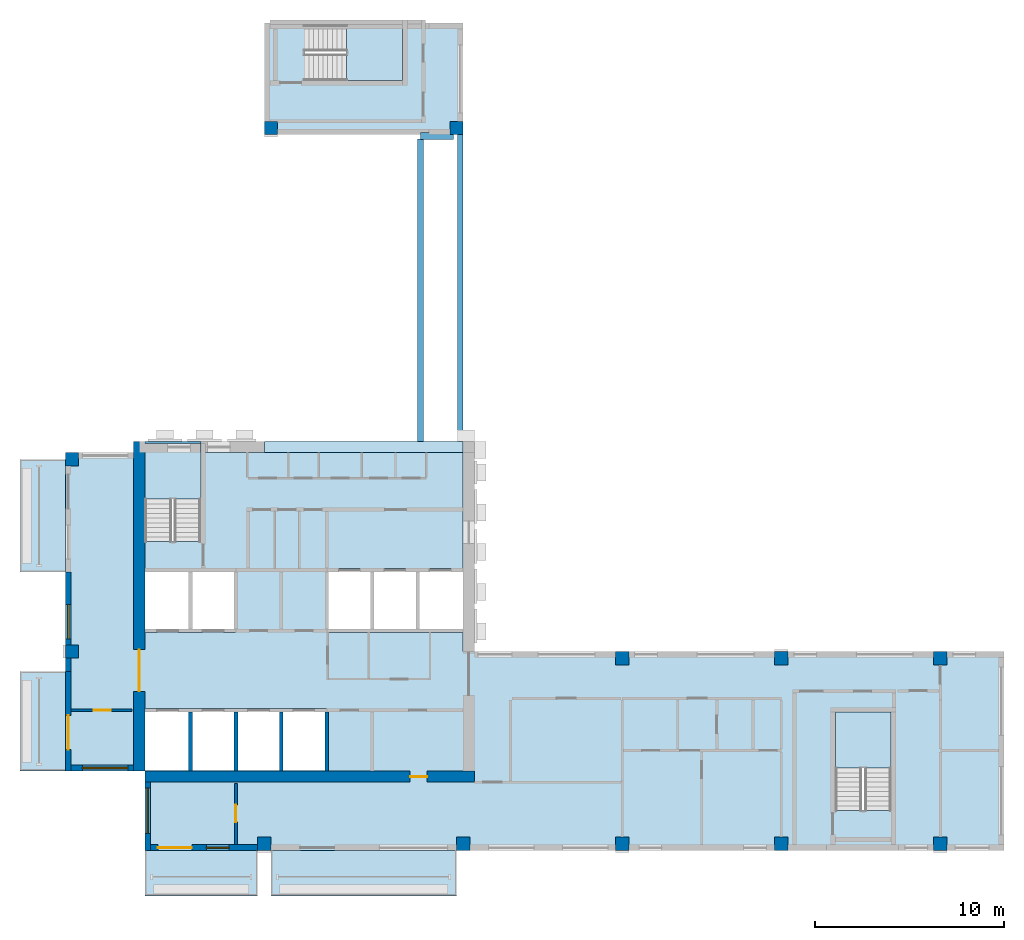
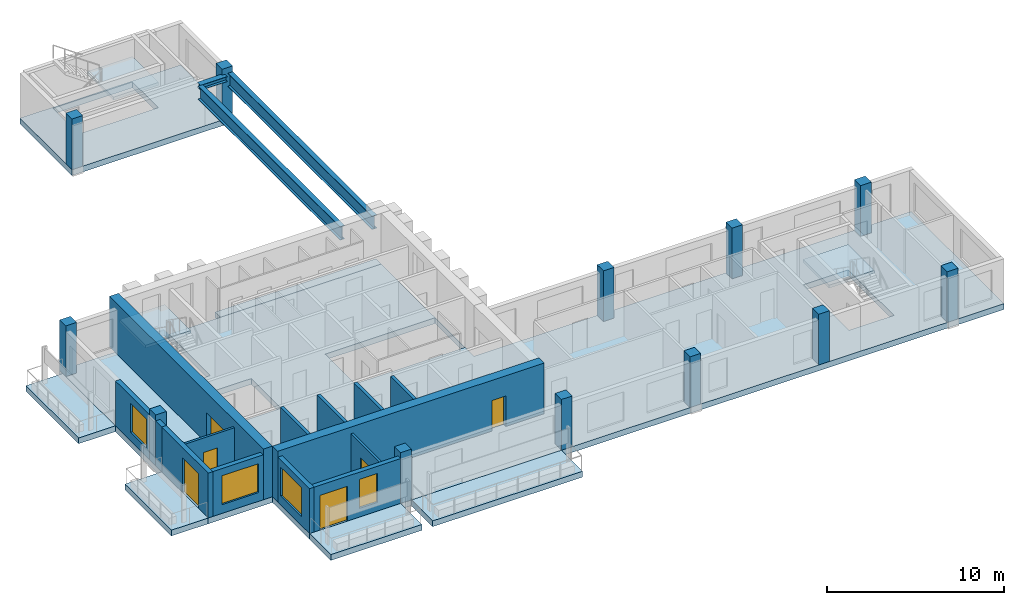
# One storey, part 1 of 9: 14 walls, 12 columns, 11 slabs, 6 doors, 4 windows, 3 beams, 10 openings, 3 elements without a shape of their own.
"""IFC4 building model written with IfcOpenShell, lengths in metres."""

from ifc_helpers import new_model, si_unit, direction, frame, frame_2d, origin, origin_2d, place, context, subcontext, project, spatial, polyline, rectangle, i_section, outline, extrude, source, transform, mapped, material, layer, layer_set, material_profile, profile_set, type_object, element, fill, aggregate, save


model = new_model("IFC4")

# Units and contexts
model_context = context("Model", 3, precision=1e-05, world=origin(), true_north=direction((0.0, 1.0)))
body_context = subcontext(model_context, "Body", "Model", "MODEL_VIEW")
ifc_project = project(units=[si_unit("LENGTHUNIT", "METRE"), si_unit("AREAUNIT", "SQUARE_METRE"), si_unit("VOLUMEUNIT", "CUBIC_METRE"), si_unit("PLANEANGLEUNIT", "RADIAN"), si_unit("MASSUNIT", "GRAM", prefix="KILO")], contexts=[model_context])

# Site, building, storey
site_placement = place(None, origin())
site = spatial("IfcSite", under=ifc_project, at=site_placement, CompositionType="ELEMENT")
building_placement = place(site_placement, origin())
building = spatial("IfcBuilding", under=site, at=building_placement, Name="Aurelian Terraces", CompositionType="ELEMENT")
storey_placement = place(building_placement, frame((0.0, 0.0, 312.5)))
storey = spatial("IfcBuildingStorey", under=building, at=storey_placement, Name="L72", CompositionType="ELEMENT", Elevation=312.5)

# Columns
ifc_material_1 = material(Name="Concrete fc' 55 MPa", Category="concrete")
ifc_material_profile_1 = material_profile(ifc_material_1, rectangle(XDim=0.7, YDim=0.7, at=origin_2d()))
ifc_profile_set_1 = profile_set([ifc_material_profile_1], Name="Concrete fc' 55 MPa")
column_type = type_object("IfcColumnType", Name="RC COLUMN 700X700 FC55", PredefinedType="COLUMN", material=ifc_profile_set_1)
shared_shape_1 = source(origin(), body_context, "Body", "SweptSolid", [
    extrude(rectangle(XDim=0.7, YDim=0.7, at=origin_2d()), origin(), (0.0, 0.0, 1.0), 3.5),
])
for number, where, z_axis, x_axis, name in (
    (1, (10.5, 0.35, 0.0), (0.0, 0.0, 1.0), (1.0, 0.0, 0.0), "Column 2/A L72"),
    (2, (21.0, 0.35, 0.0), (0.0, 0.0, 1.0), (1.0, 0.0, 0.0), "Column 3/A L72"),
    (3, (29.4, 0.35, 0.0), (0.0, 0.0, 1.0), (1.0, 0.0, 0.0), "Column 4/A L72"),
    (4, (37.8, 0.35, 0.0), (0.0, 0.0, 1.0), (1.0, 0.0, 0.0), "Column 5/A L72"),
    (5, (46.2, 0.35, 0.0), (0.0, 0.0, 1.0), (1.0, 0.0, 0.0), "Column 6/A L72"),
    (6, (0.35, 10.5, 0.0), (0.0, 0.0, 1.0), (1.0, 0.0, 0.0), "Column 1/B L72"),
    (7, (29.4, 10.15, 0.0), (0.0, 0.0, 1.0), (1.0, 0.0, 0.0), "Column 4/B L72"),
    (8, (37.8, 10.15, 0.0), (0.0, 0.0, 1.0), (1.0, 0.0, 0.0), "Column 5/B L72"),
    (9, (46.2, 10.15, 0.0), (0.0, 0.0, 1.0), (1.0, 0.0, 0.0), "Column 6/B L72"),
    (10, (0.35, 20.65, 0.0), (0.0, 0.0, 1.0), (1.0, 0.0, 0.0), "Column 1/C L72"),
    (11, (10.85, 38.15, 0.0), (0.0, 0.0, 1.0), (1.0, 0.0, 0.0), "Column 2/E L72"),
    (12, (20.65, 38.15, 0.0), (0.0, 0.0, 1.0), (1.0, 0.0, 0.0), "Column 3/E L72"),
):
    element("IfcColumn", number, at=place(storey_placement, frame(where, z_axis=z_axis, x_axis=x_axis)), inside=storey, type_object=column_type, Name=name, PredefinedType="COLUMN", context=body_context, shape_type="MappedRepresentation", body=[
        mapped(shared_shape_1, transform((0.0, 0.0, 0.0), scale=1.0)),
    ])

# Beams
ifc_material_2 = material(Name="Steel ASTM A992 Gr50", Category="steel")
ifc_material_profile_2 = material_profile(ifc_material_2, i_section(OverallWidth=0.3077, OverallDepth=0.9268, WebThickness=0.0194, FlangeThickness=0.032, at=origin_2d()))
ifc_profile_set_2 = profile_set([ifc_material_profile_2], Name="Steel ASTM A992 Gr50")
beam_type_1 = type_object("IfcBeamType", Name="PC903 PORTAL CHORD W36X194", PredefinedType="BEAM", material=ifc_profile_set_2)
beam_1_placement = place(storey_placement, frame((18.7538, 21.5, 2.6364), z_axis=(0.0, 1.0, 0.0), x_axis=(-1.0, 0.0, 0.0)))
element("IfcBeam", 13, at=beam_1_placement, inside=storey, type_object=beam_type_1, Name="Link girder 1 L73", PredefinedType="BEAM", context=body_context, shape_type="SweptSolid", body=[
    extrude(i_section(OverallWidth=0.3077, OverallDepth=0.9268, WebThickness=0.0194, FlangeThickness=0.032, at=origin_2d()), origin(), (0.0, 0.0, 1.0), 16.0556),
])
beam_2_placement = place(storey_placement, frame((20.8462, 21.5, 2.6364), z_axis=(0.0, 1.0, 0.0), x_axis=(-1.0, 0.0, 0.0)))
element("IfcBeam", 14, at=beam_2_placement, inside=storey, type_object=beam_type_1, Name="Link girder 2 L73", PredefinedType="BEAM", context=body_context, shape_type="SweptSolid", body=[
    extrude(i_section(OverallWidth=0.3077, OverallDepth=0.9268, WebThickness=0.0194, FlangeThickness=0.032, at=origin_2d()), origin(), (0.0, 0.0, 1.0), 16.3),
])
ifc_material_profile_3 = material_profile(ifc_material_2, i_section(OverallWidth=0.3688, OverallDepth=0.3561, WebThickness=0.0112, FlangeThickness=0.018, at=origin_2d()))
ifc_profile_set_3 = profile_set([ifc_material_profile_3], Name="Steel ASTM A992 Gr50")
beam_type_2 = type_object("IfcBeamType", Name="PC904 PORTAL CHORD W14X90", PredefinedType="BEAM", material=ifc_profile_set_3)
beam_3_placement = place(storey_placement, frame((18.7538, 37.72, 2.9218), z_axis=(1.0, 0.0, 0.0), x_axis=(0.0, 1.0, 0.0)))
element("IfcBeam", 15, at=beam_3_placement, inside=storey, type_object=beam_type_2, Name="Link cross beam L73", PredefinedType="BEAM", context=body_context, shape_type="SweptSolid", body=[
    extrude(i_section(OverallWidth=0.3688, OverallDepth=0.3561, WebThickness=0.0112, FlangeThickness=0.018, at=origin_2d()), origin(), (0.0, 0.0, 1.0), 1.7462),
])

# Slabs
ifc_material_3 = material(Name="Concrete fc' 40 MPa", Category="concrete")
ifc_layer_1 = layer(ifc_material_3, 0.4)
ifc_layer_set_1 = layer_set([ifc_layer_1], Name="Balcony slab 400")
slab_type_1 = type_object("IfcSlabType", Name="Balcony slab 400", PredefinedType="NOTDEFINED", material=ifc_layer_set_1)
slab_1_placement = place(storey_placement, frame((0.0, 0.0, -0.4)))
element("IfcSlab", 16, at=slab_1_placement, inside=storey, type_object=slab_type_1, Name="Balcony slab L72 F01.2", PredefinedType="NOTDEFINED", context=body_context, shape_type="SweptSolid", body=[
    extrude(outline(polyline([(10.85, 0.0), (20.65, 0.0), (20.65, -2.4), (10.85, -2.4), (10.85, 0.0)])), origin(), (0.0, 0.0, 1.0), 0.4),
])
ifc_layer_2 = layer(ifc_material_3, 0.4)
ifc_layer_set_2 = layer_set([ifc_layer_2], Name="PT FLAT PLATE 400")
slab_type_2 = type_object("IfcSlabType", Name="PT FLAT PLATE 400", PredefinedType="FLOOR", material=ifc_layer_set_2)
shared_shape_2 = source(origin(), body_context, "Body", "SweptSolid", [
    extrude(outline(polyline([(21.0, 0.0), (4.2, 0.0), (4.2, 4.2), (0.0, 4.2), (0.0, 10.5), (0.0, 21.0), (4.21, 21.0), (4.21, 16.31), (7.14, 16.31), (7.14, 21.0), (21.0, 21.0), (21.0, 10.5), (49.56, 10.5), (49.56, 6.3), (49.56, 4.2), (49.56, 0.0), (21.0, 0.0)]), holes=[polyline([(40.66, 2.11), (43.59, 2.11), (43.59, 7.29), (40.66, 7.29), (40.66, 2.11)]), polyline([(13.81, 14.89), (13.81, 11.51), (20.99, 11.51), (20.99, 14.89), (13.81, 14.89)]), polyline([(4.21, 7.49), (4.21, 4.21), (13.79, 4.21), (13.79, 7.49), (4.21, 7.49)]), polyline([(8.99, 11.51), (8.99, 14.89), (4.21, 14.89), (4.21, 11.51), (8.99, 11.51)])]), origin(), (0.0, 0.0, 1.0), 0.4),
])
slab_2_placement = place(storey_placement, frame((0.0, 0.0, -0.4)))
element("IfcSlab", 17, at=slab_2_placement, inside=storey, type_object=slab_type_2, Name="Floor slab S L72", PredefinedType="FLOOR", context=body_context, shape_type="MappedRepresentation", body=[
    mapped(shared_shape_2, transform((0.0, 0.0, 0.0), scale=1.0)),
])
shared_shape_3 = source(origin(), body_context, "Body", "SweptSolid", [
    extrude(outline(polyline([(14.7, 43.68), (16.8, 43.68), (21.0, 43.68), (21.0, 37.8), (10.5, 37.8), (10.5, 43.68), (14.7, 43.68)]), holes=[polyline([(17.79, 43.59), (12.61, 43.59), (12.61, 40.66), (17.79, 40.66), (17.79, 43.59)])]), origin(), (0.0, 0.0, 1.0), 0.4),
])
slab_3_placement = place(storey_placement, frame((0.0, 0.0, -0.4)))
element("IfcSlab", 18, at=slab_3_placement, inside=storey, type_object=slab_type_2, Name="Floor slab W L72", PredefinedType="FLOOR", context=body_context, shape_type="MappedRepresentation", body=[
    mapped(shared_shape_3, transform((0.0, 0.0, 0.0), scale=1.0)),
])
shared_shape_4 = source(origin(), body_context, "Body", "SweptSolid", [
    extrude(outline(polyline([(21.0, 21.6), (21.0, 21.0), (10.5, 21.0), (10.5, 21.6), (21.0, 21.6)])), origin(), (0.0, 0.0, 1.0), 0.4),
])
slab_4_placement = place(storey_placement, frame((0.0, 0.0, -0.4)))
element("IfcSlab", 19, at=slab_4_placement, inside=storey, type_object=slab_type_2, Name="Floor slab W2 L72", PredefinedType="FLOOR", context=body_context, shape_type="MappedRepresentation", body=[
    mapped(shared_shape_4, transform((0.0, 0.0, 0.0), scale=1.0)),
])
shared_shape_5 = source(origin(), body_context, "Body", "SweptSolid", [
    extrude(outline(polyline([(4.2, 21.6), (7.15, 21.6), (7.15, 21.0), (7.14, 21.0), (7.14, 21.49), (4.21, 21.49), (4.21, 21.0), (4.2, 21.0), (4.2, 21.6)])), origin(), (0.0, 0.0, 1.0), 0.4),
])
slab_5_placement = place(storey_placement, frame((0.0, 0.0, -0.4)))
element("IfcSlab", 20, at=slab_5_placement, inside=storey, type_object=slab_type_2, Name="Floor slab W3 L72", PredefinedType="FLOOR", context=body_context, shape_type="MappedRepresentation", body=[
    mapped(shared_shape_5, transform((0.0, 0.0, 0.0), scale=1.0)),
])
shared_shape_6 = source(origin(), body_context, "Body", "SweptSolid", [
    extrude(outline(polyline([(0.0, 9.45), (0.0, 4.2), (-2.4, 4.2), (-2.4, 9.45), (0.0, 9.45)])), origin(), (0.0, 0.0, 1.0), 0.4),
])
slab_6_placement = place(storey_placement, frame((0.0, 0.0, -0.4)))
element("IfcSlab", 21, at=slab_6_placement, inside=storey, type_object=slab_type_1, Name="Balcony slab L72 F12.20", PredefinedType="NOTDEFINED", context=body_context, shape_type="MappedRepresentation", body=[
    mapped(shared_shape_6, transform((0.0, 0.0, 0.0), scale=1.0)),
])
shared_shape_7 = source(origin(), body_context, "Body", "SweptSolid", [
    extrude(outline(polyline([(4.2, 0.0), (10.15, 0.0), (10.15, -2.4), (4.2, -2.4), (4.2, 0.0)])), origin(), (0.0, 0.0, 1.0), 0.4),
])
slab_7_placement = place(storey_placement, frame((0.0, 0.0, -0.4)))
element("IfcSlab", 22, at=slab_7_placement, inside=storey, type_object=slab_type_1, Name="Balcony slab L72 F01.1", PredefinedType="NOTDEFINED", context=body_context, shape_type="MappedRepresentation", body=[
    mapped(shared_shape_7, transform((0.0, 0.0, 0.0), scale=1.0)),
])
shared_shape_8 = source(origin(), body_context, "Body", "SweptSolid", [
    extrude(outline(polyline([(0.0, 20.65), (0.0, 14.7), (-2.4, 14.7), (-2.4, 20.65), (0.0, 20.65)])), origin(), (0.0, 0.0, 1.0), 0.4),
])
slab_8_placement = place(storey_placement, frame((0.0, 0.0, -0.4)))
element("IfcSlab", 23, at=slab_8_placement, inside=storey, type_object=slab_type_1, Name="Balcony slab L72 F12.18", PredefinedType="NOTDEFINED", context=body_context, shape_type="MappedRepresentation", body=[
    mapped(shared_shape_8, transform((0.0, 0.0, 0.0), scale=1.0)),
])

# Stair, slab
stair_type = type_object("IfcStairType", Name="Stair 1400", PredefinedType="HALF_TURN_STAIR", material=ifc_material_3)
stair_1_placement = place(storey_placement, origin())
stair_1 = element("IfcStair", 24, at=stair_1_placement, inside=storey, type_object=stair_type, Name="L72 S1", PredefinedType="HALF_TURN_STAIR")
ifc_layer_3 = layer(ifc_material_3, 0.2)
ifc_layer_set_3 = layer_set([ifc_layer_3], Name="Stair landing 200")
slab_type_3 = type_object("IfcSlabType", Name="Stair landing 200", PredefinedType="LANDING", material=ifc_layer_set_3)
shared_shape_9 = source(origin(), body_context, "Body", "SweptSolid", [
    extrude(outline(polyline([(7.15, 18.55), (7.15, 21.5), (4.2, 21.5), (4.2, 18.55), (7.15, 18.55)])), origin(), (0.0, 0.0, 1.0), 0.2),
])
slab_9_placement = place(storey_placement, frame((0.0, 0.0, 1.55)))
slab_9 = element("IfcSlab", 25, at=slab_9_placement, type_object=slab_type_3, Name="S1 landing 1", PredefinedType="LANDING", context=body_context, shape_type="MappedRepresentation", body=[
    mapped(shared_shape_9, transform((0.0, 0.0, 0.0), scale=1.0)),
])
aggregate(stair_1, [slab_9])

stair_2_placement = place(storey_placement, origin())
stair_2 = element("IfcStair", 26, at=stair_2_placement, inside=storey, type_object=stair_type, Name="L72 S2", PredefinedType="HALF_TURN_STAIR")
shared_shape_10 = source(origin(), body_context, "Body", "SweptSolid", [
    extrude(outline(polyline([(43.6, 4.35), (43.6, 7.3), (40.65, 7.3), (40.65, 4.35), (43.6, 4.35)])), origin(), (0.0, 0.0, 1.0), 0.2),
])
slab_10_placement = place(storey_placement, frame((0.0, 0.0, 1.55)))
slab_10 = element("IfcSlab", 27, at=slab_10_placement, type_object=slab_type_3, Name="S2 landing 1", PredefinedType="LANDING", context=body_context, shape_type="MappedRepresentation", body=[
    mapped(shared_shape_10, transform((0.0, 0.0, 0.0), scale=1.0)),
])
aggregate(stair_2, [slab_10])

stair_3_placement = place(storey_placement, origin())
stair_3 = element("IfcStair", 28, at=stair_3_placement, inside=storey, type_object=stair_type, Name="L72 S3U", PredefinedType="HALF_TURN_STAIR")
shared_shape_11 = source(origin(), body_context, "Body", "SweptSolid", [
    extrude(outline(polyline([(14.85, 40.65), (17.8, 40.65), (17.8, 43.6), (14.85, 43.6), (14.85, 40.65)])), origin(), (0.0, 0.0, 1.0), 0.2),
])
slab_11_placement = place(storey_placement, frame((0.0, 0.0, 1.55)))
slab_11 = element("IfcSlab", 29, at=slab_11_placement, type_object=slab_type_3, Name="S3U landing 1", PredefinedType="LANDING", context=body_context, shape_type="MappedRepresentation", body=[
    mapped(shared_shape_11, transform((0.0, 0.0, 0.0), scale=1.0)),
])
aggregate(stair_3, [slab_11])

# Wall, opening, door
ifc_layer_4 = layer(ifc_material_1, 0.6)
ifc_layer_set_4 = layer_set([ifc_layer_4], Name="CORE WALL 600 FC55")
wall_type_1 = type_object("IfcWallType", Name="CORE WALL 600 FC55", PredefinedType="SHEAR", material=ifc_layer_set_4)
shared_shape_12 = source(origin(), body_context, "Body", "SweptSolid", [
    extrude(rectangle(XDim=17.4, YDim=0.6, at=frame_2d((8.7, 0.0))), origin(), (0.0, 0.0, 1.0), 3.5),
])
wall_1_placement = place(storey_placement, frame((3.9, 4.2, 0.0), z_axis=(0.0, 0.0, 1.0), x_axis=(0.0, 1.0, 0.0)))
wall_1 = element("IfcWall", 30, at=wall_1_placement, inside=storey, type_object=wall_type_1, Name="Core wall W L72", PredefinedType="SHEAR", context=body_context, shape_type="MappedRepresentation", body=[
    mapped(shared_shape_12, transform((0.0, 0.0, 0.0), scale=1.0)),
])
shared_shape_13 = source(origin(), body_context, "Body", "SweptSolid", [
    extrude(rectangle(XDim=2.2, YDim=2.1, at=frame_2d((1.1, 1.05))), frame((0.0, 0.31, 0.0), z_axis=(0.0, -1.0, 0.0), x_axis=(1.0, 0.0, 0.0)), (0.0, 0.0, 1.0), 0.62),
])
opening_1_placement = place(wall_1_placement, frame((4.2, 0.0, 0.0)))
opening_1 = element("IfcOpeningElement", 31, at=opening_1_placement, cuts=wall_1, Name="Opening 67532", PredefinedType="OPENING", context=body_context, shape_type="MappedRepresentation", body=[
    mapped(shared_shape_13, transform((0.0, 0.0, 0.0), scale=1.0)),
])
ifc_material_4 = material(Name="Steel door leaf", Category="steel")
door_type_1 = type_object("IfcDoorType", Name="Core double door 2200x2100", OperationType="DOUBLE_DOOR_SINGLE_SWING", PredefinedType="DOOR", material=ifc_material_4)
shared_shape_14 = source(origin(), body_context, "Body", "SweptSolid", [
    extrude(rectangle(XDim=2.2, YDim=2.1, at=frame_2d((1.1, 1.05))), frame((0.0, 0.025, 0.0), z_axis=(0.0, -1.0, 0.0), x_axis=(1.0, 0.0, 0.0)), (0.0, 0.0, 1.0), 0.05),
])
door_1_placement = place(opening_1_placement, origin())
door_1 = element("IfcDoor", 32, at=door_1_placement, inside=storey, type_object=door_type_1, Name="Core door 67532", OperationType="DOUBLE_DOOR_SINGLE_SWING", OverallHeight=2.1, OverallWidth=2.2, PredefinedType="DOOR", context=body_context, shape_type="MappedRepresentation", body=[
    mapped(shared_shape_14, transform((0.0, 0.0, 0.0), scale=1.0)),
])
fill(opening_1, door_1)

wall_2_placement = place(storey_placement, frame((4.2, 3.9, 0.0), z_axis=(0.0, 0.0, 1.0), x_axis=(1.0, 0.0, 0.0)))
wall_2 = element("IfcWall", 33, at=wall_2_placement, inside=storey, type_object=wall_type_1, Name="Core wall S L72", PredefinedType="SHEAR", context=body_context, shape_type="MappedRepresentation", body=[
    mapped(shared_shape_12, transform((0.0, 0.0, 0.0), scale=1.0)),
])
shared_shape_15 = source(origin(), body_context, "Body", "SweptSolid", [
    extrude(rectangle(XDim=0.9, YDim=2.1, at=frame_2d((0.45, 1.05))), frame((0.0, 0.31, 0.0), z_axis=(0.0, -1.0, 0.0), x_axis=(1.0, 0.0, 0.0)), (0.0, 0.0, 1.0), 0.62),
])
opening_2_placement = place(wall_2_placement, frame((14.0, 0.0, 0.0)))
opening_2 = element("IfcOpeningElement", 34, at=opening_2_placement, cuts=wall_2, Name="Opening 67533", PredefinedType="OPENING", context=body_context, shape_type="MappedRepresentation", body=[
    mapped(shared_shape_15, transform((0.0, 0.0, 0.0), scale=1.0)),
])
door_type_2 = type_object("IfcDoorType", Name="Core service door 900x2100 right", OperationType="SINGLE_SWING_RIGHT", PredefinedType="DOOR", material=ifc_material_4)
shared_shape_16 = source(origin(), body_context, "Body", "SweptSolid", [
    extrude(rectangle(XDim=0.9, YDim=2.1, at=frame_2d((0.45, 1.05))), frame((0.0, 0.025, 0.0), z_axis=(0.0, -1.0, 0.0), x_axis=(1.0, 0.0, 0.0)), (0.0, 0.0, 1.0), 0.05),
])
door_2_placement = place(opening_2_placement, origin())
door_2 = element("IfcDoor", 35, at=door_2_placement, inside=storey, type_object=door_type_2, Name="Core door 67533", OperationType="SINGLE_SWING_RIGHT", OverallHeight=2.1, OverallWidth=0.9, PredefinedType="DOOR", context=body_context, shape_type="MappedRepresentation", body=[
    mapped(shared_shape_16, transform((0.0, 0.0, 0.0), scale=1.0)),
])
fill(opening_2, door_2)

# Wall, opening, window
ifc_material_5 = material(Name="Terracotta rainscreen cladding", Category="masonry")
ifc_layer_5 = layer(ifc_material_5, 0.3)
ifc_layer_set_5 = layer_set([ifc_layer_5], Name="EW-300")
wall_type_2 = type_object("IfcWallType", Name="EW-300", PredefinedType="STANDARD", material=ifc_layer_set_5)
shared_shape_17 = source(origin(), body_context, "Body", "SweptSolid", [
    extrude(rectangle(XDim=3.6, YDim=0.3, at=frame_2d((1.8, 0.0))), origin(), (0.0, 0.0, 1.0), 3.1),
])
wall_3_placement = place(storey_placement, frame((0.0, 4.35, 0.0), z_axis=(0.0, 0.0, 1.0), x_axis=(1.0, 0.0, 0.0)))
wall_3 = element("IfcWall", 36, at=wall_3_placement, inside=storey, type_object=wall_type_2, Name="External wall L72 F13.21", PredefinedType="STANDARD", context=body_context, shape_type="MappedRepresentation", body=[
    mapped(shared_shape_17, transform((0.0, 0.0, 0.0), scale=1.0)),
])
shared_shape_18 = source(origin(), body_context, "Body", "SweptSolid", [
    extrude(rectangle(XDim=2.4, YDim=2.0, at=frame_2d((1.2, 1.0))), frame((0.0, 0.16, 0.0), z_axis=(0.0, -1.0, 0.0), x_axis=(1.0, 0.0, 0.0)), (0.0, 0.0, 1.0), 0.32),
])
opening_3_placement = place(wall_3_placement, frame((0.9, 0.0, 0.6)))
opening_3 = element("IfcOpeningElement", 37, at=opening_3_placement, cuts=wall_3, Name="Opening W2420", PredefinedType="OPENING", context=body_context, shape_type="MappedRepresentation", body=[
    mapped(shared_shape_18, transform((0.0, 0.0, 0.0), scale=1.0)),
])
ifc_material_6 = material(Name="Clear glazing", Category="glass")
window_type_1 = type_object("IfcWindowType", Name="W-2400x2000", PartitioningType="SINGLE_PANEL", PredefinedType="WINDOW", material=ifc_material_6)
shared_shape_19 = source(origin(), body_context, "Body", "SweptSolid", [
    extrude(rectangle(XDim=2.4, YDim=2.0, at=frame_2d((1.2, 1.0))), frame((0.0, 0.03, 0.0), z_axis=(0.0, -1.0, 0.0), x_axis=(1.0, 0.0, 0.0)), (0.0, 0.0, 1.0), 0.06),
])
window_1_placement = place(opening_3_placement, origin())
window_1 = element("IfcWindow", 38, at=window_1_placement, inside=storey, type_object=window_type_1, Name="Window L72 L72-F13-21-0", OverallHeight=2.0, OverallWidth=2.4, PartitioningType="SINGLE_PANEL", PredefinedType="WINDOW", context=body_context, shape_type="MappedRepresentation", body=[
    mapped(shared_shape_19, transform((0.0, 0.0, 0.0), scale=1.0)),
])
fill(opening_3, window_1)

wall_4_placement = place(storey_placement, frame((4.35, 3.6, 0.0), z_axis=(0.0, 0.0, 1.0), x_axis=(0.0, -1.0, 0.0)))
wall_4 = element("IfcWall", 39, at=wall_4_placement, inside=storey, type_object=wall_type_2, Name="External wall L72 F14.22", PredefinedType="STANDARD", context=body_context, shape_type="MappedRepresentation", body=[
    mapped(shared_shape_17, transform((0.0, 0.0, 0.0), scale=1.0)),
])
opening_4_placement = place(wall_4_placement, frame((0.3, 0.0, 0.6)))
opening_4 = element("IfcOpeningElement", 40, at=opening_4_placement, cuts=wall_4, Name="Opening W2420", PredefinedType="OPENING", context=body_context, shape_type="MappedRepresentation", body=[
    mapped(shared_shape_18, transform((0.0, 0.0, 0.0), scale=1.0)),
])
window_2_placement = place(opening_4_placement, origin())
window_2 = element("IfcWindow", 41, at=window_2_placement, inside=storey, type_object=window_type_1, Name="Window L72 L72-F14-22-0", OverallHeight=2.0, OverallWidth=2.4, PartitioningType="SINGLE_PANEL", PredefinedType="WINDOW", context=body_context, shape_type="MappedRepresentation", body=[
    mapped(shared_shape_19, transform((0.0, 0.0, 0.0), scale=1.0)),
])
fill(opening_4, window_2)

# Wall, openings, door, window
shared_shape_20 = source(origin(), body_context, "Body", "SweptSolid", [
    extrude(rectangle(XDim=5.95, YDim=0.3, at=frame_2d((2.975, 0.0))), origin(), (0.0, 0.0, 1.0), 3.1),
])
wall_5_placement = place(storey_placement, frame((4.2, 0.15, 0.0), z_axis=(0.0, 0.0, 1.0), x_axis=(1.0, 0.0, 0.0)))
wall_5 = element("IfcWall", 42, at=wall_5_placement, inside=storey, type_object=wall_type_2, Name="External wall L72 F01.1", PredefinedType="STANDARD", context=body_context, shape_type="MappedRepresentation", body=[
    mapped(shared_shape_20, transform((0.0, 0.0, 0.0), scale=1.0)),
])
shared_shape_21 = source(origin(), body_context, "Body", "SweptSolid", [
    extrude(rectangle(XDim=1.8, YDim=2.4, at=frame_2d((0.9, 1.2))), frame((0.0, 0.16, 0.0), z_axis=(0.0, -1.0, 0.0), x_axis=(1.0, 0.0, 0.0)), (0.0, 0.0, 1.0), 0.32),
])
opening_5_placement = place(wall_5_placement, frame((0.675, 0.0, 0.0)))
opening_5 = element("IfcOpeningElement", 43, at=opening_5_placement, cuts=wall_5, Name="Opening 87201", PredefinedType="OPENING", context=body_context, shape_type="MappedRepresentation", body=[
    mapped(shared_shape_21, transform((0.0, 0.0, 0.0), scale=1.0)),
])
shared_shape_22 = source(origin(), body_context, "Body", "SweptSolid", [
    extrude(rectangle(XDim=1.2, YDim=2.0, at=frame_2d((0.6, 1.0))), frame((0.0, 0.16, 0.0), z_axis=(0.0, -1.0, 0.0), x_axis=(1.0, 0.0, 0.0)), (0.0, 0.0, 1.0), 0.32),
])
opening_6_placement = place(wall_5_placement, frame((3.2438, 0.0, 0.6)))
opening_6 = element("IfcOpeningElement", 44, at=opening_6_placement, cuts=wall_5, Name="Opening W1220", PredefinedType="OPENING", context=body_context, shape_type="MappedRepresentation", body=[
    mapped(shared_shape_22, transform((0.0, 0.0, 0.0), scale=1.0)),
])
door_type_3 = type_object("IfcDoorType", Name="BD-1800x2400", OperationType="SLIDING_TO_LEFT", PredefinedType="DOOR", material=ifc_material_6)
shared_shape_23 = source(origin(), body_context, "Body", "SweptSolid", [
    extrude(rectangle(XDim=1.8, YDim=2.4, at=frame_2d((0.9, 1.2))), frame((0.0, 0.025, 0.0), z_axis=(0.0, -1.0, 0.0), x_axis=(1.0, 0.0, 0.0)), (0.0, 0.0, 1.0), 0.05),
])
door_3_placement = place(opening_5_placement, origin())
door_3 = element("IfcDoor", 45, at=door_3_placement, inside=storey, type_object=door_type_3, Name="Balcony door L72 F01.1", OperationType="SLIDING_TO_LEFT", OverallHeight=2.4, OverallWidth=1.8, PredefinedType="DOOR", context=body_context, shape_type="MappedRepresentation", body=[
    mapped(shared_shape_23, transform((0.0, 0.0, 0.0), scale=1.0)),
])
fill(opening_5, door_3)
window_type_2 = type_object("IfcWindowType", Name="W-1200x2000", PartitioningType="SINGLE_PANEL", PredefinedType="WINDOW", material=ifc_material_6)
shared_shape_24 = source(origin(), body_context, "Body", "SweptSolid", [
    extrude(rectangle(XDim=1.2, YDim=2.0, at=frame_2d((0.6, 1.0))), frame((0.0, 0.03, 0.0), z_axis=(0.0, -1.0, 0.0), x_axis=(1.0, 0.0, 0.0)), (0.0, 0.0, 1.0), 0.06),
])
window_3_placement = place(opening_6_placement, origin())
window_3 = element("IfcWindow", 46, at=window_3_placement, inside=storey, type_object=window_type_2, Name="Window L72 L72-F01-01-G0-26", OverallHeight=2.0, OverallWidth=1.2, PartitioningType="SINGLE_PANEL", PredefinedType="WINDOW", context=body_context, shape_type="MappedRepresentation", body=[
    mapped(shared_shape_24, transform((0.0, 0.0, 0.0), scale=1.0)),
])
fill(opening_6, window_3)

# Wall, opening, window
shared_shape_25 = source(origin(), body_context, "Body", "SweptSolid", [
    extrude(rectangle(XDim=3.85, YDim=0.3, at=frame_2d((1.925, 0.0))), origin(), (0.0, 0.0, 1.0), 3.1),
])
wall_6_placement = place(storey_placement, frame((0.15, 14.7, 0.0), z_axis=(0.0, 0.0, 1.0), x_axis=(0.0, -1.0, 0.0)))
wall_6 = element("IfcWall", 47, at=wall_6_placement, inside=storey, type_object=wall_type_2, Name="External wall L72 F12.19", PredefinedType="STANDARD", context=body_context, shape_type="MappedRepresentation", body=[
    mapped(shared_shape_25, transform((0.0, 0.0, 0.0), scale=1.0)),
])
shared_shape_26 = source(origin(), body_context, "Body", "SweptSolid", [
    extrude(rectangle(XDim=1.8, YDim=2.0, at=frame_2d((0.9, 1.0))), frame((0.0, 0.16, 0.0), z_axis=(0.0, -1.0, 0.0), x_axis=(1.0, 0.0, 0.0)), (0.0, 0.0, 1.0), 0.32),
])
opening_7_placement = place(wall_6_placement, frame((1.725, 0.0, 0.6)))
opening_7 = element("IfcOpeningElement", 48, at=opening_7_placement, cuts=wall_6, Name="Opening W1820", PredefinedType="OPENING", context=body_context, shape_type="MappedRepresentation", body=[
    mapped(shared_shape_26, transform((0.0, 0.0, 0.0), scale=1.0)),
])
window_type_3 = type_object("IfcWindowType", Name="W-1800x2000", PartitioningType="SINGLE_PANEL", PredefinedType="WINDOW", material=ifc_material_6)
shared_shape_27 = source(origin(), body_context, "Body", "SweptSolid", [
    extrude(rectangle(XDim=1.8, YDim=2.0, at=frame_2d((0.9, 1.0))), frame((0.0, 0.03, 0.0), z_axis=(0.0, -1.0, 0.0), x_axis=(1.0, 0.0, 0.0)), (0.0, 0.0, 1.0), 0.06),
])
window_4_placement = place(opening_7_placement, origin())
window_4 = element("IfcWindow", 49, at=window_4_placement, inside=storey, type_object=window_type_3, Name="Window L72 L72-F12-19-0", OverallHeight=2.0, OverallWidth=1.8, PartitioningType="SINGLE_PANEL", PredefinedType="WINDOW", context=body_context, shape_type="MappedRepresentation", body=[
    mapped(shared_shape_27, transform((0.0, 0.0, 0.0), scale=1.0)),
])
fill(opening_7, window_4)

# Wall
shared_shape_28 = source(origin(), body_context, "Body", "SweptSolid", [
    extrude(rectangle(XDim=0.7, YDim=0.3, at=frame_2d((0.35, 0.0))), origin(), (0.0, 0.0, 1.0), 3.1),
])
wall_7_placement = place(storey_placement, frame((0.15, 10.15, 0.0), z_axis=(0.0, 0.0, 1.0), x_axis=(0.0, -1.0, 0.0)))
element("IfcWall", 50, at=wall_7_placement, inside=storey, type_object=wall_type_2, Name="External wall L72 F12.19", PredefinedType="STANDARD", context=body_context, shape_type="MappedRepresentation", body=[
    mapped(shared_shape_28, transform((0.0, 0.0, 0.0), scale=1.0)),
])

# Wall, opening, door
shared_shape_29 = source(origin(), body_context, "Body", "SweptSolid", [
    extrude(rectangle(XDim=5.25, YDim=0.3, at=frame_2d((2.625, 0.0))), origin(), (0.0, 0.0, 1.0), 3.1),
])
wall_8_placement = place(storey_placement, frame((0.15, 9.45, 0.0), z_axis=(0.0, 0.0, 1.0), x_axis=(0.0, -1.0, 0.0)))
wall_8 = element("IfcWall", 51, at=wall_8_placement, inside=storey, type_object=wall_type_2, Name="External wall L72 F12.20", PredefinedType="STANDARD", context=body_context, shape_type="MappedRepresentation", body=[
    mapped(shared_shape_29, transform((0.0, 0.0, 0.0), scale=1.0)),
])
opening_8_placement = place(wall_8_placement, frame((2.325, 0.0, 0.0)))
opening_8 = element("IfcOpeningElement", 52, at=opening_8_placement, cuts=wall_8, Name="Opening 87204", PredefinedType="OPENING", context=body_context, shape_type="MappedRepresentation", body=[
    mapped(shared_shape_21, transform((0.0, 0.0, 0.0), scale=1.0)),
])
door_4_placement = place(opening_8_placement, origin())
door_4 = element("IfcDoor", 53, at=door_4_placement, inside=storey, type_object=door_type_3, Name="Balcony door L72 F12.20", OperationType="SLIDING_TO_LEFT", OverallHeight=2.4, OverallWidth=1.8, PredefinedType="DOOR", context=body_context, shape_type="MappedRepresentation", body=[
    mapped(shared_shape_23, transform((0.0, 0.0, 0.0), scale=1.0)),
])
fill(opening_8, door_4)

# Walls
ifc_layer_6 = layer(ifc_material_3, 0.2)
ifc_layer_set_6 = layer_set([ifc_layer_6], Name="Lift shaft wall 200")
wall_type_3 = type_object("IfcWallType", Name="Lift shaft wall 200", PredefinedType="SOLIDWALL", material=ifc_layer_set_6)
shared_shape_30 = source(origin(), body_context, "Body", "SweptSolid", [
    extrude(rectangle(XDim=3.1, YDim=0.2, at=frame_2d((1.55, 0.0))), origin(), (0.0, 0.0, 1.0), 3.5),
])
for number, where, z_axis, x_axis, name in (
    (54, (6.6, 4.2, 0.0), (0.0, 0.0, 1.0), (0.0, 1.0, 0.0), "L72 core wall CD-A1"),
    (55, (9.0, 4.2, 0.0), (0.0, 0.0, 1.0), (0.0, 1.0, 0.0), "L72 core wall CD-A2"),
    (56, (11.4, 4.2, 0.0), (0.0, 0.0, 1.0), (0.0, 1.0, 0.0), "L72 core wall CD-A3"),
):
    element("IfcWall", number, at=place(storey_placement, frame(where, z_axis=z_axis, x_axis=x_axis)), inside=storey, type_object=wall_type_3, Name=name, PredefinedType="SOLIDWALL", context=body_context, shape_type="MappedRepresentation", body=[
        mapped(shared_shape_30, transform((0.0, 0.0, 0.0), scale=1.0)),
    ])
shared_shape_31 = source(origin(), body_context, "Body", "SweptSolid", [
    extrude(rectangle(XDim=3.1, YDim=0.2, at=frame_2d((1.55, 0.0))), origin(), (0.0, 0.0, 1.0), 3.1),
])
wall_9_placement = place(storey_placement, frame((13.8, 4.2, 0.0), z_axis=(0.0, 0.0, 1.0), x_axis=(0.0, 1.0, 0.0)))
element("IfcWall", 57, at=wall_9_placement, inside=storey, type_object=wall_type_3, Name="L72 core wall CD-A4", PredefinedType="SOLIDWALL", context=body_context, shape_type="MappedRepresentation", body=[
    mapped(shared_shape_31, transform((0.0, 0.0, 0.0), scale=1.0)),
])

# Wall, opening, door
ifc_material_7 = material(Name="Gypsum board on steel studs", Category="steel")
ifc_layer_7 = layer(ifc_material_7, 0.15)
ifc_layer_set_7 = layer_set([ifc_layer_7], Name="Partition 150")
wall_type_4 = type_object("IfcWallType", Name="Partition 150", PredefinedType="PARTITIONING", material=ifc_layer_set_7)
shared_shape_32 = source(origin(), body_context, "Body", "SweptSolid", [
    extrude(rectangle(XDim=3.225, YDim=0.15, at=frame_2d((1.6125, 0.0))), origin(), (0.0, 0.0, 1.0), 3.1),
])
wall_10_placement = place(storey_placement, frame((9.0, 3.525, 0.0), z_axis=(0.0, 0.0, 1.0), x_axis=(0.0, -1.0, 0.0)))
wall_10 = element("IfcWall", 58, at=wall_10_placement, inside=storey, type_object=wall_type_4, Name="Partition", PredefinedType="PARTITIONING", context=body_context, shape_type="MappedRepresentation", body=[
    mapped(shared_shape_32, transform((0.0, 0.0, 0.0), scale=1.0)),
])
shared_shape_33 = source(origin(), body_context, "Body", "SweptSolid", [
    extrude(rectangle(XDim=0.9, YDim=2.1, at=frame_2d((0.45, 1.05))), frame((0.0, 0.085, 0.0), z_axis=(0.0, -1.0, 0.0), x_axis=(1.0, 0.0, 0.0)), (0.0, 0.0, 1.0), 0.17),
])
opening_9_placement = place(wall_10_placement, frame((1.125, 0.0, 0.0)))
opening_9 = element("IfcOpeningElement", 59, at=opening_9_placement, cuts=wall_10, Name="Opening 772002", PredefinedType="OPENING", context=body_context, shape_type="MappedRepresentation", body=[
    mapped(shared_shape_33, transform((0.0, 0.0, 0.0), scale=1.0)),
])
ifc_material_8 = material(Name="Timber door leaf", Category="wood")
door_type_4 = type_object("IfcDoorType", Name="Room door 900x2100 right", OperationType="SINGLE_SWING_RIGHT", PredefinedType="DOOR", material=ifc_material_8)
door_5_placement = place(opening_9_placement, origin())
door_5 = element("IfcDoor", 60, at=door_5_placement, inside=storey, type_object=door_type_4, Name="Door 772002", OperationType="SINGLE_SWING_RIGHT", OverallHeight=2.1, OverallWidth=0.9, PredefinedType="DOOR", context=body_context, shape_type="MappedRepresentation", body=[
    mapped(shared_shape_16, transform((0.0, 0.0, 0.0), scale=1.0)),
])
fill(opening_9, door_5)

wall_11_placement = place(storey_placement, frame((0.3, 7.4, 0.0), z_axis=(0.0, 0.0, 1.0), x_axis=(1.0, 0.0, 0.0)))
wall_11 = element("IfcWall", 61, at=wall_11_placement, inside=storey, type_object=wall_type_4, Name="Partition", PredefinedType="PARTITIONING", context=body_context, shape_type="MappedRepresentation", body=[
    mapped(shared_shape_32, transform((0.0, 0.0, 0.0), scale=1.0)),
])
opening_10_placement = place(wall_11_placement, frame((1.2, 0.0, 0.0)))
opening_10 = element("IfcOpeningElement", 62, at=opening_10_placement, cuts=wall_11, Name="Opening 772012", PredefinedType="OPENING", context=body_context, shape_type="MappedRepresentation", body=[
    mapped(shared_shape_33, transform((0.0, 0.0, 0.0), scale=1.0)),
])
door_6_placement = place(opening_10_placement, origin())
door_6 = element("IfcDoor", 63, at=door_6_placement, inside=storey, type_object=door_type_4, Name="Door 772012", OperationType="SINGLE_SWING_RIGHT", OverallHeight=2.1, OverallWidth=0.9, PredefinedType="DOOR", context=body_context, shape_type="MappedRepresentation", body=[
    mapped(shared_shape_16, transform((0.0, 0.0, 0.0), scale=1.0)),
])
fill(opening_10, door_6)

save(model, "model.ifc")
